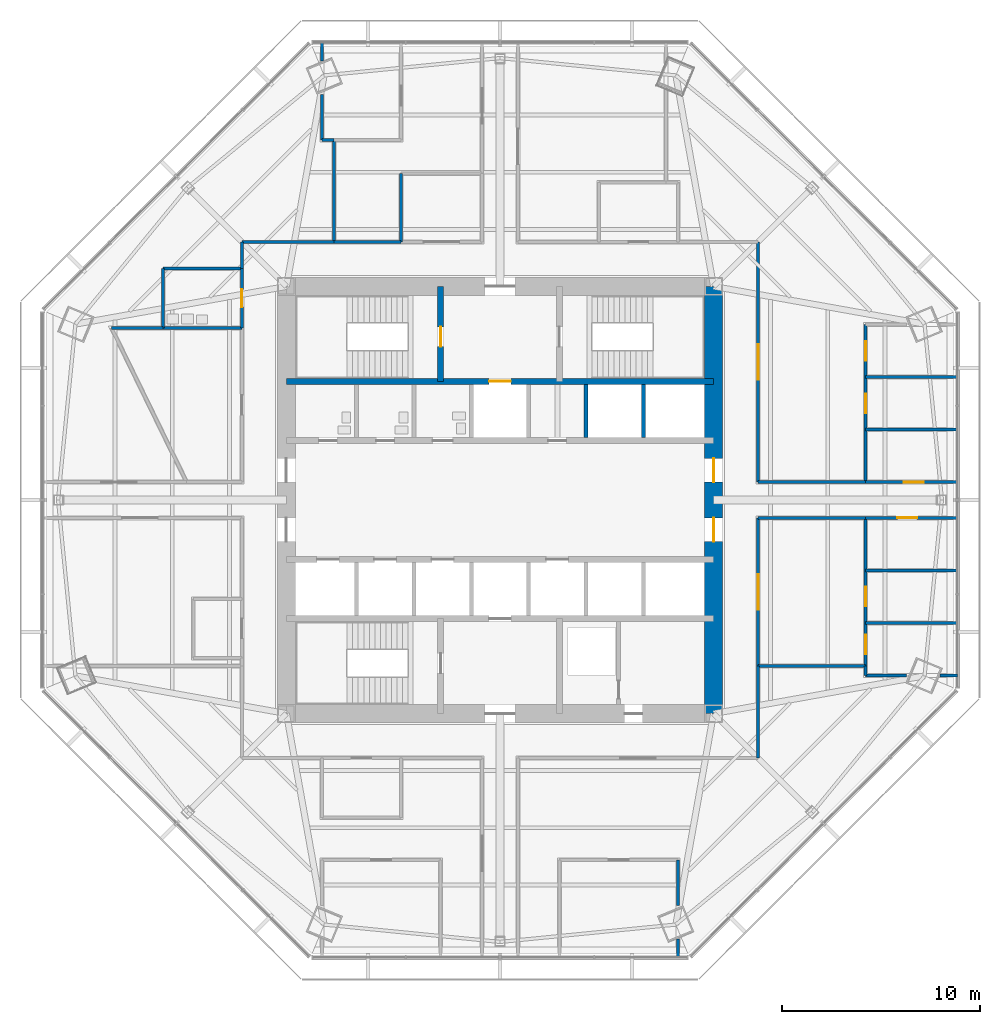
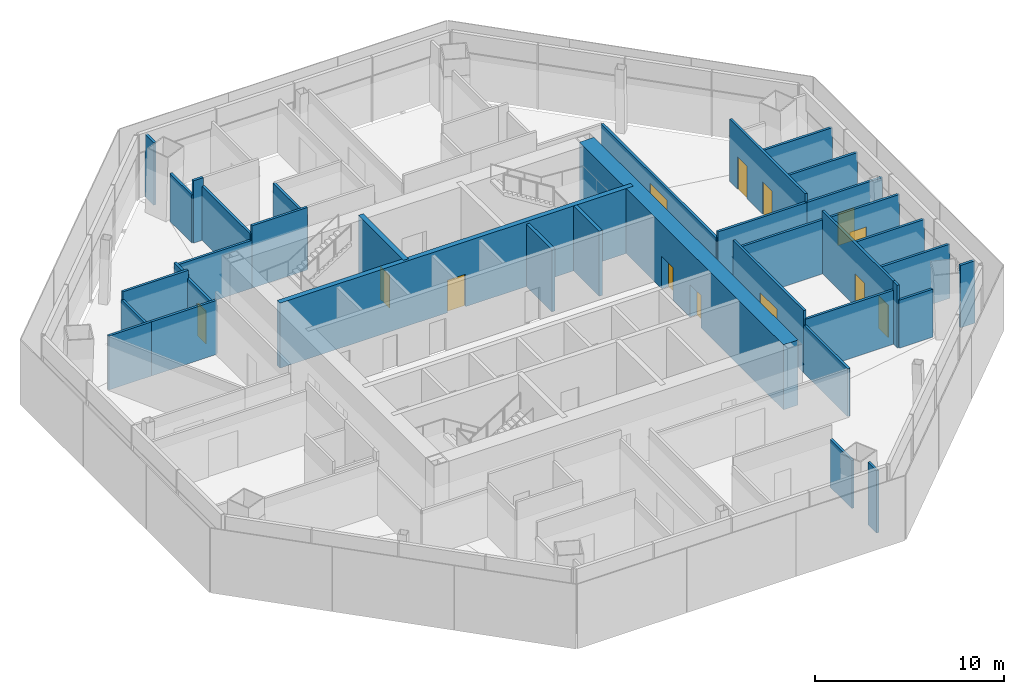
# One storey, part 10 of 15: 37 walls, 13 doors, 13 openings.
"""IFC4 building model written with IfcOpenShell, lengths in metres."""

from ifc_helpers import new_model, si_unit, direction, frame, frame_2d, origin, place, context, subcontext, project, spatial, rectangle, extrude, material, layer, layer_set, type_object, element, fill, save


model = new_model("IFC4")

# Units and contexts
model_context = context("Model", 3, precision=1e-05, world=origin(), true_north=direction((0.0, 1.0)))
body_context = subcontext(model_context, "Body", "Model", "MODEL_VIEW")
ifc_project = project(units=[si_unit("LENGTHUNIT", "METRE"), si_unit("AREAUNIT", "SQUARE_METRE"), si_unit("VOLUMEUNIT", "CUBIC_METRE"), si_unit("PLANEANGLEUNIT", "RADIAN"), si_unit("MASSUNIT", "GRAM", prefix="KILO")], contexts=[model_context])

# Site, building, storey
site_placement = place(None, origin())
site = spatial("IfcSite", under=ifc_project, at=site_placement, CompositionType="ELEMENT")
building_placement = place(site_placement, origin())
building = spatial("IfcBuilding", under=site, at=building_placement, Name="Mashrafa Tower", CompositionType="ELEMENT")
storey_placement = place(building_placement, frame((0.0, 0.0, 172.199951171875)))
storey = spatial("IfcBuildingStorey", under=building, at=storey_placement, Name="L39", CompositionType="ELEMENT", Elevation=172.199951171875)

# Wall, opening, door
ifc_material_1 = material(Name="Concrete C60/75", Category="concrete")
ifc_layer_1 = layer(ifc_material_1, 0.300048828125)
ifc_layer_set_1 = layer_set([ifc_layer_1], Name="Core wall 300 C60/75")
wall_type_1 = type_object("IfcWallType", Name="Core wall 300 C60/75", PredefinedType="SOLIDWALL", material=ifc_layer_set_1)
wall_1_placement = place(storey_placement, frame((-10.800048828125, 6.0, 0.0), z_axis=(0.0, 0.0, 1.0), x_axis=(1.0, 0.0, 0.0)))
wall_1 = element("IfcWall", 1, at=wall_1_placement, inside=storey, type_object=wall_type_1, Name="Core wall CB-N L39", PredefinedType="SOLIDWALL", context=body_context, shape_type="SweptSolid", body=[
    extrude(rectangle(XDim=21.60009765625, YDim=0.300048828125, at=frame_2d((10.800048828125, 0.0))), origin(), (0.0, 0.0, 1.0), 4.199951171875),
])
opening_1_placement = place(wall_1_placement, frame((10.25, 0.0, 0.0)))
opening_1 = element("IfcOpeningElement", 2, at=opening_1_placement, cuts=wall_1, Name="Opening 39.F1", PredefinedType="OPENING", context=body_context, shape_type="SweptSolid", body=[
    extrude(rectangle(XDim=1.10009765625, YDim=2.10009765625, at=frame_2d((0.550048828125, 1.050048828125))), frame((0.0, 0.159912109375, 0.0), z_axis=(0.0, -1.0, 0.0), x_axis=(1.0, 0.0, 0.0)), (0.0, 0.0, 1.0), 0.320068359375),
])
ifc_material_2 = material(Name="Steel door", Category="steel")
door_type_1 = type_object("IfcDoorType", Name="Lift landing door 1100 x 2100 90 min", OperationType="DOUBLE_DOOR_SLIDING", PredefinedType="DOOR", material=ifc_material_2)
door_1_placement = place(opening_1_placement, origin())
door_1 = element("IfcDoor", 3, at=door_1_placement, inside=storey, type_object=door_type_1, Name="Lift landing door F1 L39", OperationType="DOUBLE_DOOR_SLIDING", OverallHeight=2.10009765625, OverallWidth=1.10009765625, PredefinedType="DOOR", context=body_context, shape_type="SweptSolid", body=[
    extrude(rectangle(XDim=1.10009765625, YDim=2.10009765625, at=frame_2d((0.550048828125, 1.050048828125))), frame((0.0, 0.02490234375, 0.0), z_axis=(0.0, -1.0, 0.0), x_axis=(1.0, 0.0, 0.0)), (0.0, 0.0, 1.0), 0.050048828125),
])
fill(opening_1, door_1)

wall_2_placement = place(storey_placement, frame((-3.0, 6.0, 0.0), z_axis=(0.0, 0.0, 1.0), x_axis=(0.0, 1.0, 0.0)))
wall_2 = element("IfcWall", 4, at=wall_2_placement, inside=storey, type_object=wall_type_1, Name="Core wall CX-NW L39", PredefinedType="SOLIDWALL", context=body_context, shape_type="SweptSolid", body=[
    extrude(rectangle(XDim=4.800048828125, YDim=0.300048828125, at=frame_2d((2.39990234375, 0.0))), origin(), (0.0, 0.0, 1.0), 4.199951171875),
])
opening_2_placement = place(wall_2_placement, frame((1.75, 0.0, 0.0)))
opening_2 = element("IfcOpeningElement", 5, at=opening_2_placement, cuts=wall_2, Name="Opening 39.030", PredefinedType="OPENING", context=body_context, shape_type="SweptSolid", body=[
    extrude(rectangle(XDim=1.0, YDim=2.10009765625, at=frame_2d((0.5, 1.050048828125))), frame((0.0, 0.159912109375, 0.0), z_axis=(0.0, -1.0, 0.0), x_axis=(1.0, 0.0, 0.0)), (0.0, 0.0, 1.0), 0.320068359375),
])
ifc_material_3 = material(Name="Steel door", Category="steel")
door_type_2 = type_object("IfcDoorType", Name="Stair door 1000 x 2100 90 min", OperationType="USERDEFINED", PredefinedType="DOOR", material=ifc_material_3)
door_2_placement = place(opening_2_placement, origin())
door_2 = element("IfcDoor", 6, at=door_2_placement, inside=storey, type_object=door_type_2, Name="Stair S1 door L39", OperationType="SINGLE_SWING_LEFT", OverallHeight=2.10009765625, OverallWidth=1.0, PredefinedType="DOOR", context=body_context, shape_type="SweptSolid", body=[
    extrude(rectangle(XDim=1.0, YDim=2.10009765625, at=frame_2d((0.5, 1.050048828125))), frame((0.0, 0.02490234375, 0.0), z_axis=(0.0, -1.0, 0.0), x_axis=(1.0, 0.0, 0.0)), (0.0, 0.0, 1.0), 0.050048828125),
])
fill(opening_2, door_2)

# Wall, openings, doors
ifc_material_4 = material(Name="Concrete C60/75", Category="concrete")
ifc_layer_2 = layer(ifc_material_4, 0.89990234375)
ifc_layer_set_2 = layer_set([ifc_layer_2], Name="Core wall 900 C60/75")
wall_type_2 = type_object("IfcWallType", Name="Core wall 900 C60/75", PredefinedType="SOLIDWALL", material=ifc_layer_set_2)
wall_3_placement = place(storey_placement, frame((10.800048828125, -10.800048828125, 0.0), z_axis=(0.0, 0.0, 1.0), x_axis=(0.0, 1.0, 0.0)))
wall_3 = element("IfcWall", 7, at=wall_3_placement, inside=storey, type_object=wall_type_2, Name="Core wall CW-E L39", PredefinedType="SOLIDWALL", context=body_context, shape_type="SweptSolid", body=[
    extrude(rectangle(XDim=21.60009765625, YDim=0.89990234375, at=frame_2d((10.800048828125, 0.0))), origin(), (0.0, 0.0, 1.0), 4.199951171875),
])
opening_3_placement = place(wall_3_placement, frame((11.699951171875, 0.0, 0.0)))
opening_3 = element("IfcOpeningElement", 8, at=opening_3_placement, cuts=wall_3, Name="Opening 39.024", PredefinedType="OPENING", context=body_context, shape_type="SweptSolid", body=[
    extrude(rectangle(XDim=1.199951171875, YDim=2.10009765625, at=frame_2d((0.60009765625, 1.050048828125))), frame((0.0, 0.4599609375, 0.0), z_axis=(0.0, -1.0, 0.0), x_axis=(1.0, 0.0, 0.0)), (0.0, 0.0, 1.0), 0.919921875),
])
opening_4_placement = place(wall_3_placement, frame((8.699951171875, 0.0, 0.0)))
opening_4 = element("IfcOpeningElement", 9, at=opening_4_placement, cuts=wall_3, Name="Opening 39.026", PredefinedType="OPENING", context=body_context, shape_type="SweptSolid", body=[
    extrude(rectangle(XDim=1.199951171875, YDim=2.10009765625, at=frame_2d((0.60009765625, 1.050048828125))), frame((0.0, 0.4599609375, 0.0), z_axis=(0.0, -1.0, 0.0), x_axis=(1.0, 0.0, 0.0)), (0.0, 0.0, 1.0), 0.919921875),
])
ifc_material_5 = material(Name="Steel door", Category="steel")
door_type_3 = type_object("IfcDoorType", Name="Lift hall door 1200 x 2100 90 min", OperationType="USERDEFINED", PredefinedType="DOOR", material=ifc_material_5)
door_3_placement = place(opening_3_placement, frame((1.199951171875, 0.0, 0.0), z_axis=(0.0, 0.0, 1.0), x_axis=(-1.0, 0.0, 0.0)))
door_3 = element("IfcDoor", 10, at=door_3_placement, inside=storey, type_object=door_type_3, Name="Lift hall door east L39", OperationType="SINGLE_SWING_LEFT", OverallHeight=2.10009765625, OverallWidth=1.199951171875, PredefinedType="DOOR", context=body_context, shape_type="SweptSolid", body=[
    extrude(rectangle(XDim=1.199951171875, YDim=2.10009765625, at=frame_2d((0.60009765625, 1.050048828125))), frame((0.0, 0.02490234375, 0.0), z_axis=(0.0, -1.0, 0.0), x_axis=(1.0, 0.0, 0.0)), (0.0, 0.0, 1.0), 0.050048828125),
])
fill(opening_3, door_3)
door_4_placement = place(opening_4_placement, frame((1.199951171875, 0.0, 0.0), z_axis=(0.0, 0.0, 1.0), x_axis=(-1.0, 0.0, 0.0)))
door_4 = element("IfcDoor", 11, at=door_4_placement, inside=storey, type_object=door_type_3, Name="Lift hall door east L39", OperationType="SINGLE_SWING_RIGHT", OverallHeight=2.10009765625, OverallWidth=1.199951171875, PredefinedType="DOOR", context=body_context, shape_type="SweptSolid", body=[
    extrude(rectangle(XDim=1.199951171875, YDim=2.10009765625, at=frame_2d((0.60009765625, 1.050048828125))), frame((0.0, 0.02490234375, 0.0), z_axis=(0.0, -1.0, 0.0), x_axis=(1.0, 0.0, 0.0)), (0.0, 0.0, 1.0), 0.050048828125),
])
fill(opening_4, door_4)

# Wall, opening, door
ifc_material_6 = material(Name="Gypsum board on steel studs", Category="steel")
ifc_layer_3 = layer(ifc_material_6, 0.14990234375)
ifc_layer_set_3 = layer_set([ifc_layer_3], Name="Corridor partition 150 1 hr")
wall_type_3 = type_object("IfcWallType", Name="Corridor partition 150 1 hr", PredefinedType="PARTITIONING", material=ifc_layer_set_3)
wall_4_placement = place(storey_placement, frame((-13.050048828125, 11.700927734375, 0.0), z_axis=(0.0, 0.0, 1.0), x_axis=(0.0, -1.0, 0.0)))
wall_4 = element("IfcWall", 12, at=wall_4_placement, inside=storey, type_object=wall_type_3, Name="Corridor wall L39-003", PredefinedType="PARTITIONING", context=body_context, shape_type="SweptSolid", body=[
    extrude(rectangle(XDim=3.001953125, YDim=0.14990234375, at=frame_2d((1.5009765625, 0.0))), origin(), (0.0, 0.0, 1.0), 3.097900390625),
])
opening_5_placement = place(wall_4_placement, frame((1.051025390625, 0.0, 0.0)))
opening_5 = element("IfcOpeningElement", 13, at=opening_5_placement, cuts=wall_4, Name="Opening 39.002", PredefinedType="OPENING", context=body_context, shape_type="SweptSolid", body=[
    extrude(rectangle(XDim=0.89990234375, YDim=2.10009765625, at=frame_2d((0.449951171875, 1.050048828125))), frame((0.0, 0.0849609375, 0.0), z_axis=(0.0, -1.0, 0.0), x_axis=(1.0, 0.0, 0.0)), (0.0, 0.0, 1.0), 0.169921875),
])
ifc_material_7 = material(Name="Timber door", Category="wood")
door_type_4 = type_object("IfcDoorType", Name="Toilet door 900 x 2100", OperationType="USERDEFINED", PredefinedType="DOOR", material=ifc_material_7)
door_5_placement = place(opening_5_placement, frame((0.89990234375, 0.0, 0.0), z_axis=(0.0, 0.0, 1.0), x_axis=(-1.0, 0.0, 0.0)))
door_5 = element("IfcDoor", 14, at=door_5_placement, inside=storey, type_object=door_type_4, Name="Ablution Room L39 door", OperationType="SINGLE_SWING_RIGHT", OverallHeight=2.10009765625, OverallWidth=0.89990234375, PredefinedType="DOOR", context=body_context, shape_type="SweptSolid", body=[
    extrude(rectangle(XDim=0.89990234375, YDim=2.10009765625, at=frame_2d((0.449951171875, 1.050048828125))), frame((0.0, 0.02490234375, 0.0), z_axis=(0.0, -1.0, 0.0), x_axis=(1.0, 0.0, 0.0)), (0.0, 0.0, 1.0), 0.050048828125),
])
fill(opening_5, door_5)

wall_5_placement = place(storey_placement, frame((18.492431640625, -0.89990234375, 0.0), z_axis=(0.0, 0.0, 1.0), x_axis=(1.0, 0.0, 0.0)))
wall_5 = element("IfcWall", 15, at=wall_5_placement, inside=storey, type_object=wall_type_3, Name="Corridor wall L39-009", PredefinedType="PARTITIONING", context=body_context, shape_type="SweptSolid", body=[
    extrude(rectangle(XDim=4.635009765625, YDim=0.14990234375, at=frame_2d((2.3173828125, 0.0))), origin(), (0.0, 0.0, 1.0), 3.49169921875),
])
opening_6_placement = place(wall_5_placement, frame((1.6005859375, 0.0, 0.0)))
opening_6 = element("IfcOpeningElement", 16, at=opening_6_placement, cuts=wall_5, Name="Opening 39.010", PredefinedType="OPENING", context=body_context, shape_type="SweptSolid", body=[
    extrude(rectangle(XDim=1.0, YDim=2.10009765625, at=frame_2d((0.5, 1.050048828125))), frame((0.0, 0.0849609375, 0.0), z_axis=(0.0, -1.0, 0.0), x_axis=(1.0, 0.0, 0.0)), (0.0, 0.0, 1.0), 0.169921875),
])
ifc_material_8 = material(Name="Timber door", Category="wood")
door_type_5 = type_object("IfcDoorType", Name="Door 1000 x 2100", OperationType="USERDEFINED", PredefinedType="DOOR", material=ifc_material_8)
door_6_placement = place(opening_6_placement, frame((1.0, 0.0, 0.0), z_axis=(0.0, 0.0, 1.0), x_axis=(-1.0, 0.0, 0.0)))
door_6 = element("IfcDoor", 17, at=door_6_placement, inside=storey, type_object=door_type_5, Name="Office 39-1-3 door", OperationType="SINGLE_SWING_RIGHT", OverallHeight=2.10009765625, OverallWidth=1.0, PredefinedType="DOOR", context=body_context, shape_type="SweptSolid", body=[
    extrude(rectangle(XDim=1.0, YDim=2.10009765625, at=frame_2d((0.5, 1.050048828125))), frame((0.0, 0.02490234375, 0.0), z_axis=(0.0, -1.0, 0.0), x_axis=(1.0, 0.0, 0.0)), (0.0, 0.0, 1.0), 0.050048828125),
])
fill(opening_6, door_6)

wall_6_placement = place(storey_placement, frame((23.12744140625, 0.89990234375, 0.0), z_axis=(0.0, 0.0, 1.0), x_axis=(-1.0, 0.0, 0.0)))
wall_6 = element("IfcWall", 18, at=wall_6_placement, inside=storey, type_object=wall_type_3, Name="Corridor wall L39-010", PredefinedType="PARTITIONING", context=body_context, shape_type="SweptSolid", body=[
    extrude(rectangle(XDim=4.635009765625, YDim=0.14990234375, at=frame_2d((2.3173828125, 0.0))), origin(), (0.0, 0.0, 1.0), 3.49169921875),
])
opening_7_placement = place(wall_6_placement, frame((1.699462890625, 0.0, 0.0)))
opening_7 = element("IfcOpeningElement", 19, at=opening_7_placement, cuts=wall_6, Name="Opening 39.011", PredefinedType="OPENING", context=body_context, shape_type="SweptSolid", body=[
    extrude(rectangle(XDim=1.0, YDim=2.10009765625, at=frame_2d((0.5, 1.050048828125))), frame((0.0, 0.0849609375, 0.0), z_axis=(0.0, -1.0, 0.0), x_axis=(1.0, 0.0, 0.0)), (0.0, 0.0, 1.0), 0.169921875),
])
door_7_placement = place(opening_7_placement, frame((1.0, 0.0, 0.0), z_axis=(0.0, 0.0, 1.0), x_axis=(-1.0, 0.0, 0.0)))
door_7 = element("IfcDoor", 20, at=door_7_placement, inside=storey, type_object=door_type_5, Name="Office 39-2-1 door", OperationType="SINGLE_SWING_RIGHT", OverallHeight=2.10009765625, OverallWidth=1.0, PredefinedType="DOOR", context=body_context, shape_type="SweptSolid", body=[
    extrude(rectangle(XDim=1.0, YDim=2.10009765625, at=frame_2d((0.5, 1.050048828125))), frame((0.0, 0.02490234375, 0.0), z_axis=(0.0, -1.0, 0.0), x_axis=(1.0, 0.0, 0.0)), (0.0, 0.0, 1.0), 0.050048828125),
])
fill(opening_7, door_7)

# Wall
wall_7_placement = place(storey_placement, frame((18.494384765625, 0.89990234375, 0.0), z_axis=(0.0, 0.0, 1.0), x_axis=(-1.0, 0.0, 0.0)))
element("IfcWall", 21, at=wall_7_placement, inside=storey, type_object=wall_type_3, Name="Corridor wall L39-011", PredefinedType="PARTITIONING", context=body_context, shape_type="SweptSolid", body=[
    extrude(rectangle(XDim=5.4443359375, YDim=0.14990234375, at=frame_2d((2.72216796875, 0.0))), origin(), (0.0, 0.0, 1.0), 3.49169921875),
])

# Wall, opening, door
wall_8_placement = place(storey_placement, frame((13.050048828125, 0.89990234375, 0.0), z_axis=(0.0, 0.0, 1.0), x_axis=(0.0, 1.0, 0.0)))
wall_8 = element("IfcWall", 22, at=wall_8_placement, inside=storey, type_object=wall_type_3, Name="Corridor wall L39-012", PredefinedType="PARTITIONING", context=body_context, shape_type="SweptSolid", body=[
    extrude(rectangle(XDim=12.150146484375, YDim=0.14990234375, at=frame_2d((6.0751953125, 0.0))), origin(), (0.0, 0.0, 1.0), 3.097900390625),
])
opening_8_placement = place(wall_8_placement, frame((5.175048828125, 0.0, 0.0)))
opening_8 = element("IfcOpeningElement", 23, at=opening_8_placement, cuts=wall_8, Name="Opening 39.016", PredefinedType="OPENING", context=body_context, shape_type="SweptSolid", body=[
    extrude(rectangle(XDim=1.800048828125, YDim=2.39990234375, at=frame_2d((0.89990234375, 1.199951171875))), frame((0.0, 0.0849609375, 0.0), z_axis=(0.0, -1.0, 0.0), x_axis=(1.0, 0.0, 0.0)), (0.0, 0.0, 1.0), 0.169921875),
])
ifc_material_9 = material(Name="Timber door", Category="wood")
door_type_6 = type_object("IfcDoorType", Name="Door pair 1800 x 2400", OperationType="DOUBLE_DOOR_SINGLE_SWING", PredefinedType="DOOR", material=ifc_material_9)
door_8_placement = place(opening_8_placement, frame((1.800048828125, 0.0, 0.0), z_axis=(0.0, 0.0, 1.0), x_axis=(-1.0, 0.0, 0.0)))
door_8 = element("IfcDoor", 24, at=door_8_placement, inside=storey, type_object=door_type_6, Name="Office Tenancy 39-1-NE1 door", OperationType="DOUBLE_DOOR_SINGLE_SWING", OverallHeight=2.39990234375, OverallWidth=1.800048828125, PredefinedType="DOOR", context=body_context, shape_type="SweptSolid", body=[
    extrude(rectangle(XDim=1.800048828125, YDim=2.39990234375, at=frame_2d((0.89990234375, 1.199951171875))), frame((0.0, 0.02490234375, 0.0), z_axis=(0.0, -1.0, 0.0), x_axis=(1.0, 0.0, 0.0)), (0.0, 0.0, 1.0), 0.050048828125),
])
fill(opening_8, door_8)

# Walls
wall_9_placement = place(storey_placement, frame((-8.39892578125, 13.050048828125, 0.0), z_axis=(0.0, 0.0, 1.0), x_axis=(-1.0, 0.0, 0.0)))
element("IfcWall", 25, at=wall_9_placement, inside=storey, type_object=wall_type_3, Name="Corridor wall L39-017", PredefinedType="PARTITIONING", context=body_context, shape_type="SweptSolid", body=[
    extrude(rectangle(XDim=4.651123046875, YDim=0.14990234375, at=frame_2d((2.32568359375, 0.0))), origin(), (0.0, 0.0, 1.0), 3.097900390625),
])
wall_10_placement = place(storey_placement, frame((-13.050048828125, 13.050048828125, 0.0), z_axis=(0.0, 0.0, 1.0), x_axis=(0.0, -1.0, 0.0)))
element("IfcWall", 26, at=wall_10_placement, inside=storey, type_object=wall_type_3, Name="Corridor wall L39-018", PredefinedType="PARTITIONING", context=body_context, shape_type="SweptSolid", body=[
    extrude(rectangle(XDim=1.35107421875, YDim=0.14990234375, at=frame_2d((0.675537109375, 0.0))), origin(), (0.0, 0.0, 1.0), 3.270751953125),
])
wall_11_placement = place(storey_placement, frame((-4.9990234375, 13.050048828125, 0.0), z_axis=(0.0, 0.0, 1.0), x_axis=(-1.0, 0.0, 0.0)))
element("IfcWall", 27, at=wall_11_placement, inside=storey, type_object=wall_type_3, Name="Corridor wall L39-019", PredefinedType="PARTITIONING", context=body_context, shape_type="SweptSolid", body=[
    extrude(rectangle(XDim=3.40185546875, YDim=0.14990234375, at=frame_2d((1.700927734375, 0.0))), origin(), (0.0, 0.0, 1.0), 4.03515625),
])
wall_12_placement = place(storey_placement, frame((13.050048828125, -13.050048828125, 0.0), z_axis=(0.0, 0.0, 1.0), x_axis=(0.0, 1.0, 0.0)))
element("IfcWall", 28, at=wall_12_placement, inside=storey, type_object=wall_type_3, Name="Corridor wall L39-030", PredefinedType="PARTITIONING", context=body_context, shape_type="SweptSolid", body=[
    extrude(rectangle(XDim=4.651123046875, YDim=0.14990234375, at=frame_2d((2.32568359375, 0.0))), origin(), (0.0, 0.0, 1.0), 3.097900390625),
])

# Wall, opening, door
wall_13_placement = place(storey_placement, frame((13.050048828125, -8.40087890625, 0.0), z_axis=(0.0, 0.0, 1.0), x_axis=(0.0, 1.0, 0.0)))
wall_13 = element("IfcWall", 29, at=wall_13_placement, inside=storey, type_object=wall_type_3, Name="Corridor wall L39-031", PredefinedType="PARTITIONING", context=body_context, shape_type="SweptSolid", body=[
    extrude(rectangle(XDim=7.5009765625, YDim=0.14990234375, at=frame_2d((3.75048828125, 0.0))), origin(), (0.0, 0.0, 1.0), 4.03515625),
])
opening_9_placement = place(wall_13_placement, frame((2.8505859375, 0.0, 0.0)))
opening_9 = element("IfcOpeningElement", 30, at=opening_9_placement, cuts=wall_13, Name="Opening 39.023", PredefinedType="OPENING", context=body_context, shape_type="SweptSolid", body=[
    extrude(rectangle(XDim=1.800048828125, YDim=2.39990234375, at=frame_2d((0.89990234375, 1.199951171875))), frame((0.0, 0.0849609375, 0.0), z_axis=(0.0, -1.0, 0.0), x_axis=(1.0, 0.0, 0.0)), (0.0, 0.0, 1.0), 0.169921875),
])
door_9_placement = place(opening_9_placement, frame((1.800048828125, 0.0, 0.0), z_axis=(0.0, 0.0, 1.0), x_axis=(-1.0, 0.0, 0.0)))
door_9 = element("IfcDoor", 31, at=door_9_placement, inside=storey, type_object=door_type_6, Name="Office Tenancy 39-2-SE2 door", OperationType="DOUBLE_DOOR_SINGLE_SWING", OverallHeight=2.39990234375, OverallWidth=1.800048828125, PredefinedType="DOOR", context=body_context, shape_type="SweptSolid", body=[
    extrude(rectangle(XDim=1.800048828125, YDim=2.39990234375, at=frame_2d((0.89990234375, 1.199951171875))), frame((0.0, 0.02490234375, 0.0), z_axis=(0.0, -1.0, 0.0), x_axis=(1.0, 0.0, 0.0)), (0.0, 0.0, 1.0), 0.050048828125),
])
fill(opening_9, door_9)

# Walls
wall_14_placement = place(storey_placement, frame((13.050048828125, -0.89990234375, 0.0), z_axis=(0.0, 0.0, 1.0), x_axis=(1.0, 0.0, 0.0)))
element("IfcWall", 32, at=wall_14_placement, inside=storey, type_object=wall_type_3, Name="Corridor wall L39-032", PredefinedType="PARTITIONING", context=body_context, shape_type="SweptSolid", body=[
    extrude(rectangle(XDim=5.4443359375, YDim=0.14990234375, at=frame_2d((2.72216796875, 0.0))), origin(), (0.0, 0.0, 1.0), 3.49169921875),
])
wall_15_placement = place(storey_placement, frame((-5.0, 16.5, 0.0), z_axis=(0.0, 0.0, 1.0), x_axis=(0.0, -1.0, 0.0)))
element("IfcWall", 33, at=wall_15_placement, inside=storey, type_object=wall_type_3, Name="Corridor wall L39-039", PredefinedType="PARTITIONING", context=body_context, shape_type="SweptSolid", body=[
    extrude(rectangle(XDim=3.449951171875, YDim=0.14990234375, at=frame_2d((1.72509765625, 0.0))), origin(), (0.0, 0.0, 1.0), 3.49169921875),
])
ifc_material_10 = material(Name="Gypsum board on steel studs", Category="steel")
ifc_layer_4 = layer(ifc_material_10, 0.14990234375)
ifc_layer_set_4 = layer_set([ifc_layer_4], Name="Partition 150")
wall_type_4 = type_object("IfcWallType", Name="Partition 150", PredefinedType="PARTITIONING", material=ifc_layer_set_4)
wall_16_placement = place(storey_placement, frame((-13.050048828125, 8.699951171875, 0.0), z_axis=(0.0, 0.0, 1.0), x_axis=(-1.0, 0.0, 0.0)))
element("IfcWall", 34, at=wall_16_placement, inside=storey, type_object=wall_type_4, Name="Partition wall L39-033", PredefinedType="PARTITIONING", context=body_context, shape_type="SweptSolid", body=[
    extrude(rectangle(XDim=4.0009765625, YDim=0.14990234375, at=frame_2d((2.00048828125, 0.0))), origin(), (0.0, 0.0, 1.0), 3.49169921875),
])
wall_17_placement = place(storey_placement, frame((-17.049072265625, 8.699951171875, 0.0), z_axis=(0.0, 0.0, 1.0), x_axis=(-1.0, 0.0, 0.0)))
element("IfcWall", 35, at=wall_17_placement, inside=storey, type_object=wall_type_4, Name="Partition wall L39-034", PredefinedType="PARTITIONING", context=body_context, shape_type="SweptSolid", body=[
    extrude(rectangle(XDim=2.600830078125, YDim=0.14990234375, at=frame_2d((1.30029296875, 0.0))), origin(), (0.0, 0.0, 1.0), 3.49169921875),
])
wall_18_placement = place(storey_placement, frame((-13.050048828125, 11.699951171875, 0.0), z_axis=(0.0, 0.0, 1.0), x_axis=(-1.0, 0.0, 0.0)))
element("IfcWall", 36, at=wall_18_placement, inside=storey, type_object=wall_type_4, Name="Partition wall L39-036", PredefinedType="PARTITIONING", context=body_context, shape_type="SweptSolid", body=[
    extrude(rectangle(XDim=4.0, YDim=0.14990234375, at=frame_2d((2.0, 0.0))), origin(), (0.0, 0.0, 1.0), 3.61865234375),
])
wall_19_placement = place(storey_placement, frame((-17.050048828125, 11.699951171875, 0.0), z_axis=(0.0, 0.0, 1.0), x_axis=(0.0, -1.0, 0.0)))
element("IfcWall", 37, at=wall_19_placement, inside=storey, type_object=wall_type_4, Name="Partition wall L39-037", PredefinedType="PARTITIONING", context=body_context, shape_type="SweptSolid", body=[
    extrude(rectangle(XDim=3.0, YDim=0.14990234375, at=frame_2d((1.5, 0.0))), origin(), (0.0, 0.0, 1.0), 3.097900390625),
])
wall_20_placement = place(storey_placement, frame((-9.0, 23.12548828125, 0.0), z_axis=(0.0, 0.0, 1.0), x_axis=(0.0, -1.0, 0.0)))
element("IfcWall", 38, at=wall_20_placement, inside=storey, type_object=wall_type_4, Name="Partition wall L39-040", PredefinedType="PARTITIONING", context=body_context, shape_type="SweptSolid", body=[
    extrude(rectangle(XDim=0.9267578125, YDim=0.14990234375, at=frame_2d((0.46337890625, 0.0))), origin(), (0.0, 0.0, 1.0), 4.03515625),
])
wall_21_placement = place(storey_placement, frame((-9.0, 20.50244140625, 0.0), z_axis=(0.0, 0.0, 1.0), x_axis=(0.0, -1.0, 0.0)))
element("IfcWall", 39, at=wall_21_placement, inside=storey, type_object=wall_type_4, Name="Partition wall L39-041", PredefinedType="PARTITIONING", context=body_context, shape_type="SweptSolid", body=[
    extrude(rectangle(XDim=2.30908203125, YDim=0.14990234375, at=frame_2d((1.154541015625, 0.0))), origin(), (0.0, 0.0, 1.0), 3.097900390625),
])
wall_22_placement = place(storey_placement, frame((-9.0, 18.193359375, 0.0), z_axis=(0.0, 0.0, 1.0), x_axis=(1.0, 0.0, 0.0)))
element("IfcWall", 40, at=wall_22_placement, inside=storey, type_object=wall_type_4, Name="Partition wall L39-042", PredefinedType="PARTITIONING", context=body_context, shape_type="SweptSolid", body=[
    extrude(rectangle(XDim=0.60107421875, YDim=0.14990234375, at=frame_2d((0.300537109375, 0.0))), origin(), (0.0, 0.0, 1.0), 4.03515625),
])
wall_23_placement = place(storey_placement, frame((23.12548828125, -6.2109375, 0.0), z_axis=(0.0, 0.0, 1.0), x_axis=(-1.0, 0.0, 0.0)))
element("IfcWall", 41, at=wall_23_placement, inside=storey, type_object=wall_type_4, Name="Partition wall L39-055", PredefinedType="PARTITIONING", context=body_context, shape_type="SweptSolid", body=[
    extrude(rectangle(XDim=4.632080078125, YDim=0.14990234375, at=frame_2d((2.31591796875, 0.0))), origin(), (0.0, 0.0, 1.0), 3.49169921875),
])
wall_24_placement = place(storey_placement, frame((18.493408203125, -8.39892578125, 0.0), z_axis=(0.0, 0.0, 1.0), x_axis=(0.0, -1.0, 0.0)))
element("IfcWall", 42, at=wall_24_placement, inside=storey, type_object=wall_type_4, Name="Partition wall L39-056", PredefinedType="PARTITIONING", context=body_context, shape_type="SweptSolid", body=[
    extrude(rectangle(XDim=0.468017578125, YDim=0.14990234375, at=frame_2d((0.23388671875, 0.0))), origin(), (0.0, 0.0, 1.0), 4.03515625),
])
wall_25_placement = place(storey_placement, frame((18.493408203125, -8.866943359375, 0.0), z_axis=(0.0, 0.0, 1.0), x_axis=(1.0, 0.0, 0.0)))
element("IfcWall", 43, at=wall_25_placement, inside=storey, type_object=wall_type_4, Name="Partition wall L39-057", PredefinedType="PARTITIONING", context=body_context, shape_type="SweptSolid", body=[
    extrude(rectangle(XDim=2.06396484375, YDim=0.14990234375, at=frame_2d((1.031982421875, 0.0))), origin(), (0.0, 0.0, 1.0), 3.097900390625),
])
wall_26_placement = place(storey_placement, frame((22.25390625, -8.866943359375, 0.0), z_axis=(0.0, 0.0, 1.0), x_axis=(1.0, 0.0, 0.0)))
element("IfcWall", 44, at=wall_26_placement, inside=storey, type_object=wall_type_4, Name="Partition wall L39-058", PredefinedType="PARTITIONING", context=body_context, shape_type="SweptSolid", body=[
    extrude(rectangle(XDim=0.87158203125, YDim=0.14990234375, at=frame_2d((0.435791015625, 0.0))), origin(), (0.0, 0.0, 1.0), 4.03515625),
])

# Wall, openings, doors
wall_27_placement = place(storey_placement, frame((18.493408203125, -8.40087890625, 0.0), z_axis=(0.0, 0.0, 1.0), x_axis=(0.0, 1.0, 0.0)))
wall_27 = element("IfcWall", 45, at=wall_27_placement, inside=storey, type_object=wall_type_4, Name="Partition wall L39-059", PredefinedType="PARTITIONING", context=body_context, shape_type="SweptSolid", body=[
    extrude(rectangle(XDim=7.5009765625, YDim=0.14990234375, at=frame_2d((3.75048828125, 0.0))), origin(), (0.0, 0.0, 1.0), 4.03515625),
])
opening_10_placement = place(wall_27_placement, frame((0.594970703125, 0.0, 0.0)))
opening_10 = element("IfcOpeningElement", 46, at=opening_10_placement, cuts=wall_27, Name="Opening 39.008", PredefinedType="OPENING", context=body_context, shape_type="SweptSolid", body=[
    extrude(rectangle(XDim=1.0, YDim=2.10009765625, at=frame_2d((0.5, 1.050048828125))), frame((0.0, 0.0849609375, 0.0), z_axis=(0.0, -1.0, 0.0), x_axis=(1.0, 0.0, 0.0)), (0.0, 0.0, 1.0), 0.169921875),
])
opening_11_placement = place(wall_27_placement, frame((3.017578125, 0.0, 0.0)))
opening_11 = element("IfcOpeningElement", 47, at=opening_11_placement, cuts=wall_27, Name="Opening 39.009", PredefinedType="OPENING", context=body_context, shape_type="SweptSolid", body=[
    extrude(rectangle(XDim=1.0, YDim=2.10009765625, at=frame_2d((0.5, 1.050048828125))), frame((0.0, 0.0849609375, 0.0), z_axis=(0.0, -1.0, 0.0), x_axis=(1.0, 0.0, 0.0)), (0.0, 0.0, 1.0), 0.169921875),
])
door_10_placement = place(opening_10_placement, frame((1.0, 0.0, 0.0), z_axis=(0.0, 0.0, 1.0), x_axis=(-1.0, 0.0, 0.0)))
door_10 = element("IfcDoor", 48, at=door_10_placement, inside=storey, type_object=door_type_5, Name="Office 39-2-SE2-1 door", OperationType="SINGLE_SWING_LEFT", OverallHeight=2.10009765625, OverallWidth=1.0, PredefinedType="DOOR", context=body_context, shape_type="SweptSolid", body=[
    extrude(rectangle(XDim=1.0, YDim=2.10009765625, at=frame_2d((0.5, 1.050048828125))), frame((0.0, 0.02490234375, 0.0), z_axis=(0.0, -1.0, 0.0), x_axis=(1.0, 0.0, 0.0)), (0.0, 0.0, 1.0), 0.050048828125),
])
fill(opening_10, door_10)
door_11_placement = place(opening_11_placement, frame((1.0, 0.0, 0.0), z_axis=(0.0, 0.0, 1.0), x_axis=(-1.0, 0.0, 0.0)))
door_11 = element("IfcDoor", 49, at=door_11_placement, inside=storey, type_object=door_type_5, Name="Office 39-2-SE2-2 door", OperationType="SINGLE_SWING_RIGHT", OverallHeight=2.10009765625, OverallWidth=1.0, PredefinedType="DOOR", context=body_context, shape_type="SweptSolid", body=[
    extrude(rectangle(XDim=1.0, YDim=2.10009765625, at=frame_2d((0.5, 1.050048828125))), frame((0.0, 0.02490234375, 0.0), z_axis=(0.0, -1.0, 0.0), x_axis=(1.0, 0.0, 0.0)), (0.0, 0.0, 1.0), 0.050048828125),
])
fill(opening_11, door_11)

# Walls
for number, where, z_axis, x_axis, name in (
    (50, (23.12548828125, -3.555908203125, 0.0), (0.0, 0.0, 1.0), (-1.0, 0.0, 0.0), "Partition wall L39-060"),
    (51, (23.12548828125, 3.555908203125, 0.0), (0.0, 0.0, 1.0), (-1.0, 0.0, 0.0), "Partition wall L39-063"),
):
    element("IfcWall", number, at=place(storey_placement, frame(where, z_axis=z_axis, x_axis=x_axis)), inside=storey, type_object=wall_type_4, Name=name, PredefinedType="PARTITIONING", context=body_context, shape_type="SweptSolid", body=[
        extrude(rectangle(XDim=4.632080078125, YDim=0.14990234375, at=frame_2d((2.31591796875, 0.0))), origin(), (0.0, 0.0, 1.0), 3.49169921875),
    ])

# Wall, openings, doors
wall_28_placement = place(storey_placement, frame((18.493408203125, 0.89990234375, 0.0), z_axis=(0.0, 0.0, 1.0), x_axis=(0.0, 1.0, 0.0)))
wall_28 = element("IfcWall", 52, at=wall_28_placement, inside=storey, type_object=wall_type_4, Name="Partition wall L39-064", PredefinedType="PARTITIONING", context=body_context, shape_type="SweptSolid", body=[
    extrude(rectangle(XDim=7.967041015625, YDim=0.14990234375, at=frame_2d((3.9833984375, 0.0))), origin(), (0.0, 0.0, 1.0), 4.03515625),
])
opening_12_placement = place(wall_28_placement, frame((3.4833984375, 0.0, 0.0)))
opening_12 = element("IfcOpeningElement", 53, at=opening_12_placement, cuts=wall_28, Name="Opening 39.012", PredefinedType="OPENING", context=body_context, shape_type="SweptSolid", body=[
    extrude(rectangle(XDim=1.0, YDim=2.10009765625, at=frame_2d((0.5, 1.050048828125))), frame((0.0, 0.0849609375, 0.0), z_axis=(0.0, -1.0, 0.0), x_axis=(1.0, 0.0, 0.0)), (0.0, 0.0, 1.0), 0.169921875),
])
opening_13_placement = place(wall_28_placement, frame((6.138916015625, 0.0, 0.0)))
opening_13 = element("IfcOpeningElement", 54, at=opening_13_placement, cuts=wall_28, Name="Opening 39.013", PredefinedType="OPENING", context=body_context, shape_type="SweptSolid", body=[
    extrude(rectangle(XDim=1.0, YDim=2.10009765625, at=frame_2d((0.5, 1.050048828125))), frame((0.0, 0.0849609375, 0.0), z_axis=(0.0, -1.0, 0.0), x_axis=(1.0, 0.0, 0.0)), (0.0, 0.0, 1.0), 0.169921875),
])
door_12_placement = place(opening_12_placement, frame((1.0, 0.0, 0.0), z_axis=(0.0, 0.0, 1.0), x_axis=(-1.0, 0.0, 0.0)))
door_12 = element("IfcDoor", 55, at=door_12_placement, inside=storey, type_object=door_type_5, Name="Office 39-1-NE1-1 door", OperationType="SINGLE_SWING_RIGHT", OverallHeight=2.10009765625, OverallWidth=1.0, PredefinedType="DOOR", context=body_context, shape_type="SweptSolid", body=[
    extrude(rectangle(XDim=1.0, YDim=2.10009765625, at=frame_2d((0.5, 1.050048828125))), frame((0.0, 0.02490234375, 0.0), z_axis=(0.0, -1.0, 0.0), x_axis=(1.0, 0.0, 0.0)), (0.0, 0.0, 1.0), 0.050048828125),
])
fill(opening_12, door_12)
door_13_placement = place(opening_13_placement, frame((1.0, 0.0, 0.0), z_axis=(0.0, 0.0, 1.0), x_axis=(-1.0, 0.0, 0.0)))
door_13 = element("IfcDoor", 56, at=door_13_placement, inside=storey, type_object=door_type_5, Name="Office 39-1-NE1-2 door", OperationType="SINGLE_SWING_LEFT", OverallHeight=2.10009765625, OverallWidth=1.0, PredefinedType="DOOR", context=body_context, shape_type="SweptSolid", body=[
    extrude(rectangle(XDim=1.0, YDim=2.10009765625, at=frame_2d((0.5, 1.050048828125))), frame((0.0, 0.02490234375, 0.0), z_axis=(0.0, -1.0, 0.0), x_axis=(1.0, 0.0, 0.0)), (0.0, 0.0, 1.0), 0.050048828125),
])
fill(opening_13, door_13)

# Walls
wall_29_placement = place(storey_placement, frame((23.12548828125, 6.2109375, 0.0), z_axis=(0.0, 0.0, 1.0), x_axis=(-1.0, 0.0, 0.0)))
element("IfcWall", 57, at=wall_29_placement, inside=storey, type_object=wall_type_4, Name="Partition wall L39-065", PredefinedType="PARTITIONING", context=body_context, shape_type="SweptSolid", body=[
    extrude(rectangle(XDim=4.632080078125, YDim=0.14990234375, at=frame_2d((2.31591796875, 0.0))), origin(), (0.0, 0.0, 1.0), 3.49169921875),
])
wall_30_placement = place(storey_placement, frame((9.0, -23.12548828125, 0.0), z_axis=(0.0, 0.0, 1.0), x_axis=(0.0, 1.0, 0.0)))
element("IfcWall", 58, at=wall_30_placement, inside=storey, type_object=wall_type_4, Name="Partition wall L39-074", PredefinedType="PARTITIONING", context=body_context, shape_type="SweptSolid", body=[
    extrude(rectangle(XDim=0.9267578125, YDim=0.14990234375, at=frame_2d((0.46337890625, 0.0))), origin(), (0.0, 0.0, 1.0), 4.03515625),
])
wall_31_placement = place(storey_placement, frame((9.0, -20.50244140625, 0.0), z_axis=(0.0, 0.0, 1.0), x_axis=(0.0, 1.0, 0.0)))
element("IfcWall", 59, at=wall_31_placement, inside=storey, type_object=wall_type_4, Name="Partition wall L39-075", PredefinedType="PARTITIONING", context=body_context, shape_type="SweptSolid", body=[
    extrude(rectangle(XDim=2.30908203125, YDim=0.14990234375, at=frame_2d((1.154541015625, 0.0))), origin(), (0.0, 0.0, 1.0), 3.097900390625),
])
wall_32_placement = place(storey_placement, frame((-8.39990234375, 13.050048828125, 0.0), z_axis=(0.0, 0.0, 1.0), x_axis=(0.0, 1.0, 0.0)))
element("IfcWall", 60, at=wall_32_placement, inside=storey, type_object=wall_type_4, Name="Partition wall L39-080", PredefinedType="PARTITIONING", context=body_context, shape_type="SweptSolid", body=[
    extrude(rectangle(XDim=5.143310546875, YDim=0.14990234375, at=frame_2d((2.57177734375, 0.0))), origin(), (0.0, 0.0, 1.0), 3.49169921875),
])
wall_33_placement = place(storey_placement, frame((18.493408203125, -8.39990234375, 0.0), z_axis=(0.0, 0.0, 1.0), x_axis=(-1.0, 0.0, 0.0)))
element("IfcWall", 61, at=wall_33_placement, inside=storey, type_object=wall_type_4, Name="Partition wall L39-083", PredefinedType="PARTITIONING", context=body_context, shape_type="SweptSolid", body=[
    extrude(rectangle(XDim=5.443359375, YDim=0.14990234375, at=frame_2d((2.7216796875, 0.0))), origin(), (0.0, 0.0, 1.0), 3.49169921875),
])
ifc_material_11 = material(Name="Gypsum shaft wall on steel studs", Category="steel")
ifc_layer_5 = layer(ifc_material_11, 0.199951171875)
ifc_layer_set_5 = layer_set([ifc_layer_5], Name="Shaft divider wall 200 2 hr")
wall_type_5 = type_object("IfcWallType", Name="Shaft divider wall 200 2 hr", PredefinedType="PARTITIONING", material=ifc_layer_set_5)
wall_34_placement = place(storey_placement, frame((4.35009765625, 3.14990234375, 0.0), z_axis=(0.0, 0.0, 1.0), x_axis=(0.0, 1.0, 0.0)))
element("IfcWall", 62, at=wall_34_placement, inside=storey, type_object=wall_type_5, Name="Shaft divider wall N5 L39", PredefinedType="PARTITIONING", context=body_context, shape_type="SweptSolid", body=[
    extrude(rectangle(XDim=2.7001953125, YDim=0.199951171875, at=frame_2d((1.35009765625, 0.0))), origin(), (0.0, 0.0, 1.0), 4.03515625),
])
wall_35_placement = place(storey_placement, frame((7.25, 3.14990234375, 0.0), z_axis=(0.0, 0.0, 1.0), x_axis=(0.0, 1.0, 0.0)))
element("IfcWall", 63, at=wall_35_placement, inside=storey, type_object=wall_type_5, Name="Shaft divider wall N6 L39", PredefinedType="PARTITIONING", context=body_context, shape_type="SweptSolid", body=[
    extrude(rectangle(XDim=2.7001953125, YDim=0.199951171875, at=frame_2d((1.35009765625, 0.0))), origin(), (0.0, 0.0, 1.0), 4.199951171875),
])

save(model, "model.ifc")
